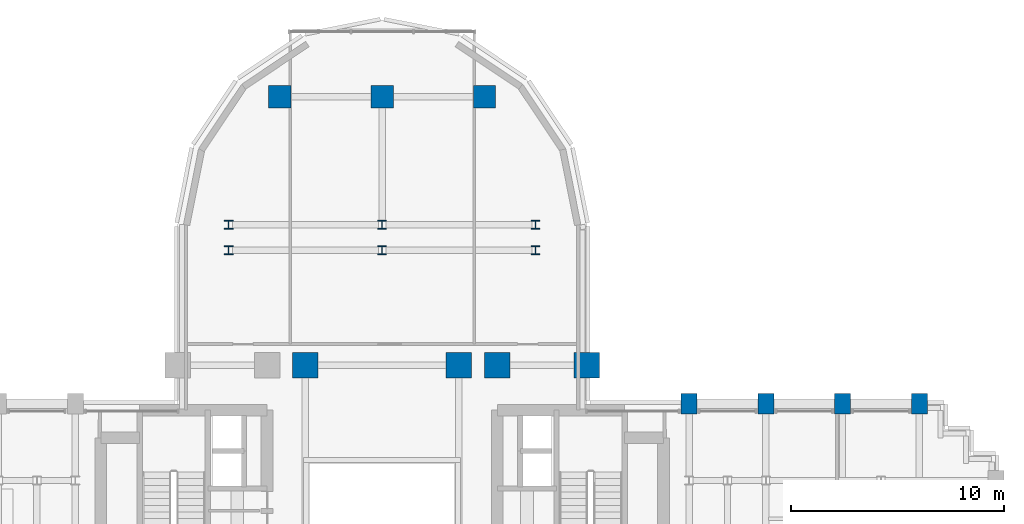
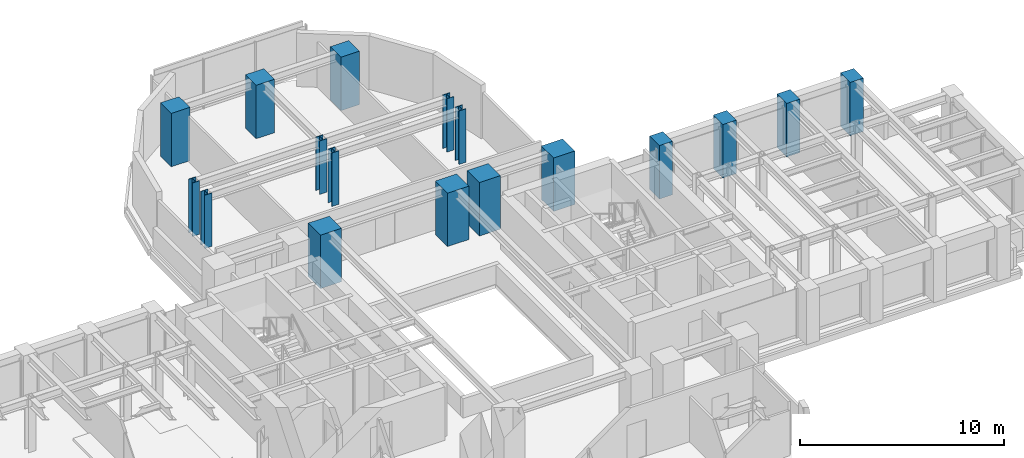
# One storey, part 2 of 16: 17 columns.
"""IFC4 building model written with IfcOpenShell, lengths in metres."""

from ifc_helpers import new_model, si_unit, direction, frame, origin, origin_2d, place, context, subcontext, project, spatial, rectangle, i_section, extrude, source, transform, mapped, material, material_profile, profile_set, type_object, element, save


model = new_model("IFC4")

# Units and contexts
model_context = context("Model", 3, precision=1e-05, world=origin(), true_north=direction((0.0, 1.0)))
body_context = subcontext(model_context, "Body", "Model", "MODEL_VIEW")
ifc_project = project(units=[si_unit("LENGTHUNIT", "METRE"), si_unit("AREAUNIT", "SQUARE_METRE"), si_unit("VOLUMEUNIT", "CUBIC_METRE"), si_unit("PLANEANGLEUNIT", "RADIAN"), si_unit("MASSUNIT", "GRAM", prefix="KILO")], contexts=[model_context])

# Site, building, storey
site_placement = place(None, origin())
site = spatial("IfcSite", under=ifc_project, at=site_placement, CompositionType="ELEMENT")
building_placement = place(site_placement, origin())
building = spatial("IfcBuilding", under=site, at=building_placement, Name="Keilestroom Media Tower", CompositionType="ELEMENT")
storey_placement = place(building_placement, frame((0.0, 0.0, 81.60009765625)))
storey = spatial("IfcBuildingStorey", under=building, at=storey_placement, Name="L21", CompositionType="ELEMENT", Elevation=81.60009765625)

# Columns
ifc_material_1 = material(Name="Precast concrete C40/50", Category="concrete")
ifc_material_profile_1 = material_profile(ifc_material_1, rectangle(XDim=0.75, YDim=0.949951171875, at=origin_2d()), Name="PC 950x750")
ifc_profile_set_1 = profile_set([ifc_material_profile_1], Name="Precast concrete C40/50")
column_type_1 = type_object("IfcColumnType", Name="Structural-Column-PC-950x750", PredefinedType="COLUMN", material=ifc_profile_set_1)
shared_shape_1 = source(origin(), body_context, "Body", "SweptSolid", [
    extrude(rectangle(XDim=0.75, YDim=0.949951171875, at=origin_2d()), origin(), (0.0, 0.0, 1.0), 3.199951171875),
])
for number, where, z_axis, x_axis, name in (
    (1, (14.39990234375, 7.199951171875, 0.0), (0.0, 0.0, 1.0), (1.0, 0.0, 0.0), "L21 Column PC-1 (+14.4,+7.2)"),
    (2, (18.0, 7.199951171875, 0.0), (0.0, 0.0, 1.0), (1.0, 0.0, 0.0), "L21 Column PC-1 (+18.0,+7.2)"),
    (3, (21.60009765625, 7.199951171875, 0.0), (0.0, 0.0, 1.0), (1.0, 0.0, 0.0), "L21 Column PC-1 (+21.6,+7.2)"),
    (4, (25.199951171875, 7.199951171875, 0.0), (0.0, 0.0, 1.0), (1.0, 0.0, 0.0), "L21 Column PC-1 (+25.2,+7.2)"),
):
    element("IfcColumn", number, at=place(storey_placement, frame(where, z_axis=z_axis, x_axis=x_axis)), inside=storey, type_object=column_type_1, Name=name, PredefinedType="COLUMN", context=body_context, shape_type="MappedRepresentation", body=[
        mapped(shared_shape_1, transform((0.0, 0.0, 0.0), x_axis=(1.0, 0.0, 0.0), y_axis=(0.0, 1.0, 0.0), z_axis=(0.0, 0.0, 1.0), scale=1.0)),
    ])
ifc_material_2 = material(Name="Steel S460", Category="steel")
ifc_material_profile_2 = material_profile(ifc_material_2, i_section(OverallWidth=0.404052734375, OverallDepth=0.406982421875, WebThickness=0.02197265625, FlangeThickness=0.035400390625, at=origin_2d()), Name="HD 400x347")
ifc_profile_set_2 = profile_set([ifc_material_profile_2], Name="Steel S460")
column_type_2 = type_object("IfcColumnType", Name="Structural-Column-HD-400x347", PredefinedType="COLUMN", material=ifc_profile_set_2)
shared_shape_2 = source(origin(), body_context, "Body", "SweptSolid", [
    extrude(i_section(OverallWidth=0.404052734375, OverallDepth=0.406982421875, WebThickness=0.02197265625, FlangeThickness=0.035400390625, at=origin_2d()), origin(), (0.0, 0.0, 1.0), 3.199951171875),
])
for number, where, z_axis, x_axis, name in (
    (5, (-7.199951171875, 14.39990234375, 0.0), (0.0, 0.0, 1.0), (1.0, 0.0, 0.0), "L21 Column SC-2 (-7.2,+14.4)"),
    (6, (-7.199951171875, 15.60009765625, 0.0), (0.0, 0.0, 1.0), (1.0, 0.0, 0.0), "L21 Column SC-2 (-7.2,+15.6)"),
    (7, (0.0, 14.39990234375, 0.0), (0.0, 0.0, 1.0), (1.0, 0.0, 0.0), "L21 Column SC-2 (+0.0,+14.4)"),
    (8, (0.0, 15.60009765625, 0.0), (0.0, 0.0, 1.0), (1.0, 0.0, 0.0), "L21 Column SC-2 (+0.0,+15.6)"),
    (9, (7.199951171875, 14.39990234375, 0.0), (0.0, 0.0, 1.0), (1.0, 0.0, 0.0), "L21 Column SC-2 (+7.2,+14.4)"),
    (10, (7.199951171875, 15.60009765625, 0.0), (0.0, 0.0, 1.0), (1.0, 0.0, 0.0), "L21 Column SC-2 (+7.2,+15.6)"),
):
    element("IfcColumn", number, at=place(storey_placement, frame(where, z_axis=z_axis, x_axis=x_axis)), inside=storey, type_object=column_type_2, Name=name, PredefinedType="COLUMN", context=body_context, shape_type="MappedRepresentation", body=[
        mapped(shared_shape_2, transform((0.0, 0.0, 0.0), x_axis=(1.0, 0.0, 0.0), y_axis=(0.0, 1.0, 0.0), z_axis=(0.0, 0.0, 1.0), scale=1.0)),
    ])
ifc_material_3 = material(Name="Concrete C70/85", Category="concrete")
ifc_material_profile_3 = material_profile(ifc_material_3, rectangle(XDim=1.199951171875, YDim=1.199951171875, at=origin_2d()), Name="RC 1200x1200")
ifc_profile_set_3 = profile_set([ifc_material_profile_3], Name="Concrete C70/85")
column_type_3 = type_object("IfcColumnType", Name="Structural-Column-RC-1200x1200", PredefinedType="COLUMN", material=ifc_profile_set_3)
shared_shape_3 = source(origin(), body_context, "Body", "SweptSolid", [
    extrude(rectangle(XDim=1.199951171875, YDim=1.199951171875, at=origin_2d()), origin(), (0.0, 0.0, 1.0), 3.199951171875),
])
for number, where, z_axis, x_axis, name in (
    (11, (-3.60009765625, 9.0, 0.0), (0.0, 0.0, 1.0), (1.0, 0.0, 0.0), "L21 Column MC-2 (-3.6,+9.0)"),
    (12, (3.60009765625, 9.0, 0.0), (0.0, 0.0, 1.0), (1.0, 0.0, 0.0), "L21 Column MC-2 (+3.6,+9.0)"),
    (13, (5.39990234375, 9.0, 0.0), (0.0, 0.0, 1.0), (1.0, 0.0, 0.0), "L21 Column MC-2 (+5.4,+9.0)"),
    (14, (9.60009765625, 9.0, 0.0), (0.0, 0.0, 1.0), (1.0, 0.0, 0.0), "L21 Column MC-2 (+9.6,+9.0)"),
):
    element("IfcColumn", number, at=place(storey_placement, frame(where, z_axis=z_axis, x_axis=x_axis)), inside=storey, type_object=column_type_3, Name=name, PredefinedType="COLUMN", context=body_context, shape_type="MappedRepresentation", body=[
        mapped(shared_shape_3, transform((0.0, 0.0, 0.0), x_axis=(1.0, 0.0, 0.0), y_axis=(0.0, 1.0, 0.0), z_axis=(0.0, 0.0, 1.0), scale=1.0)),
    ])
ifc_material_4 = material(Name="Concrete C55/67", Category="concrete")
ifc_material_profile_4 = material_profile(ifc_material_4, rectangle(XDim=1.050048828125, YDim=1.050048828125, at=origin_2d()), Name="RC 1050x1050")
ifc_profile_set_4 = profile_set([ifc_material_profile_4], Name="Concrete C55/67")
column_type_4 = type_object("IfcColumnType", Name="Structural-Column-RC-1050x1050", PredefinedType="COLUMN", material=ifc_profile_set_4)
shared_shape_4 = source(origin(), body_context, "Body", "SweptSolid", [
    extrude(rectangle(XDim=1.050048828125, YDim=1.050048828125, at=origin_2d()), origin(), (0.0, 0.0, 1.0), 3.199951171875),
])
for number, where, z_axis, x_axis, name in (
    (15, (-4.800048828125, 21.60009765625, 0.0), (0.0, 0.0, 1.0), (1.0, 0.0, 0.0), "L21 Column MC-3 (-4.8,+21.6)"),
    (16, (0.0, 21.60009765625, 0.0), (0.0, 0.0, 1.0), (1.0, 0.0, 0.0), "L21 Column MC-3 (+0.0,+21.6)"),
    (17, (4.800048828125, 21.60009765625, 0.0), (0.0, 0.0, 1.0), (1.0, 0.0, 0.0), "L21 Column MC-3 (+4.8,+21.6)"),
):
    element("IfcColumn", number, at=place(storey_placement, frame(where, z_axis=z_axis, x_axis=x_axis)), inside=storey, type_object=column_type_4, Name=name, PredefinedType="COLUMN", context=body_context, shape_type="MappedRepresentation", body=[
        mapped(shared_shape_4, transform((0.0, 0.0, 0.0), x_axis=(1.0, 0.0, 0.0), y_axis=(0.0, 1.0, 0.0), z_axis=(0.0, 0.0, 1.0), scale=1.0)),
    ])

save(model, "model.ifc")
